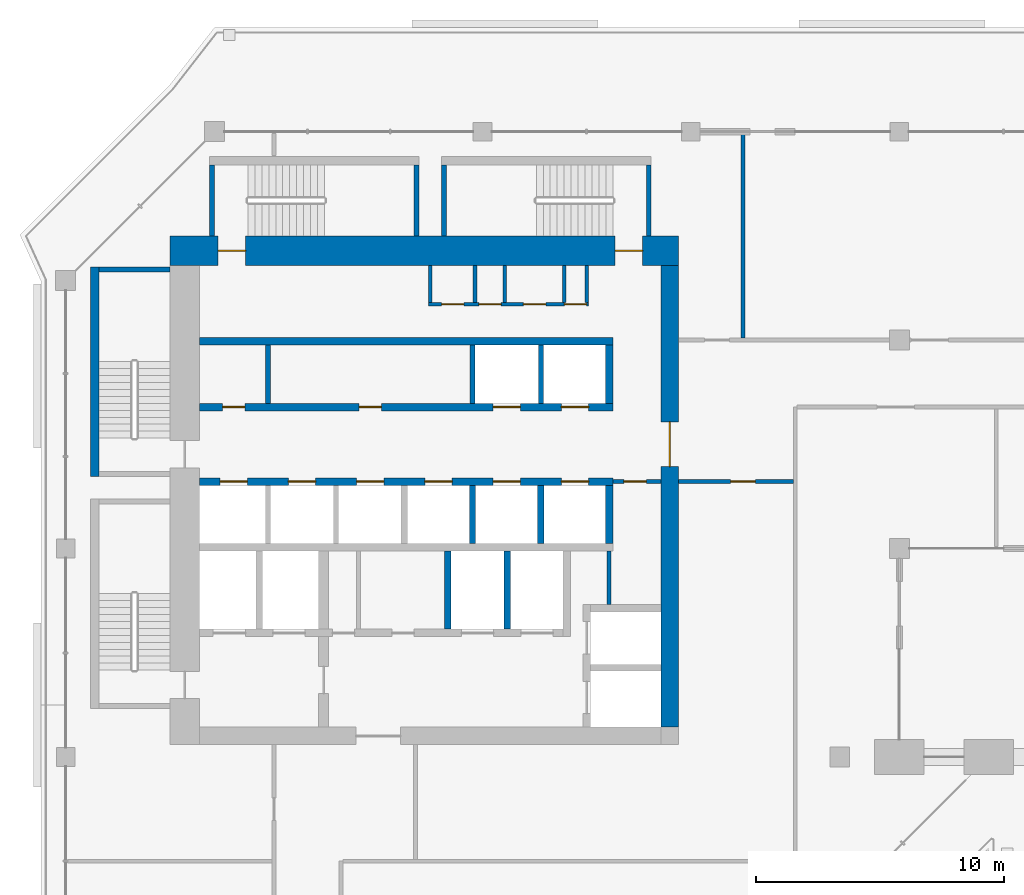
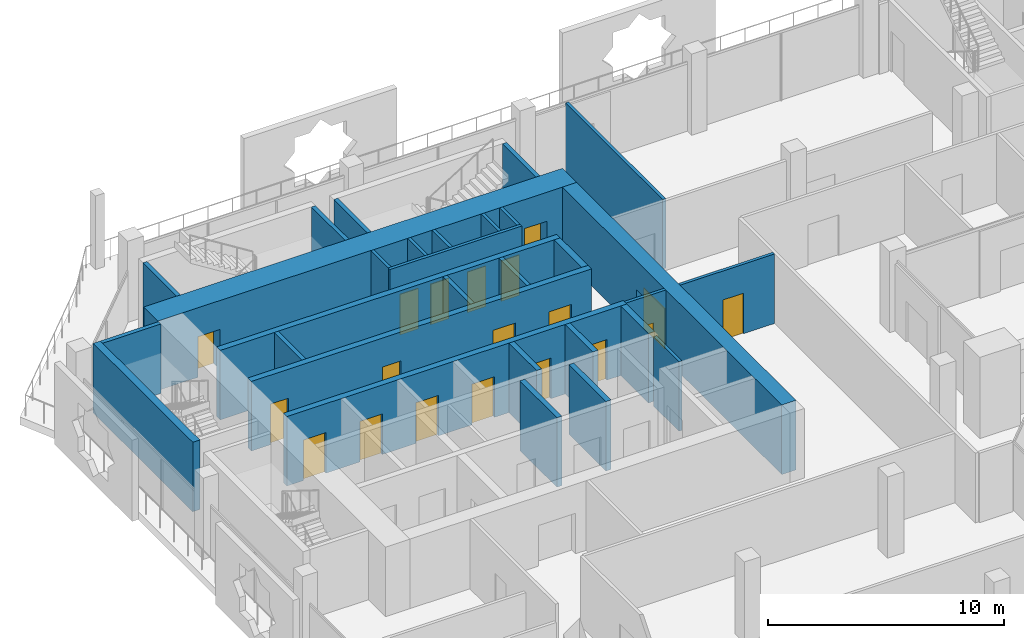
# One storey, part 12 of 20: 30 walls, 19 doors, 19 openings.
"""IFC4 building model written with IfcOpenShell, lengths in metres."""

from ifc_helpers import new_model, si_unit, direction, frame, frame_2d, origin, place, context, subcontext, project, spatial, rectangle, extrude, material, layer, layer_set, type_object, element, fill, save


model = new_model("IFC4")

# Units and contexts
model_context = context("Model", 3, precision=1e-05, world=origin(), true_north=direction((0.0, 1.0)))
body_context = subcontext(model_context, "Body", "Model", "MODEL_VIEW")
ifc_project = project(units=[si_unit("LENGTHUNIT", "METRE"), si_unit("AREAUNIT", "SQUARE_METRE"), si_unit("VOLUMEUNIT", "CUBIC_METRE"), si_unit("PLANEANGLEUNIT", "RADIAN"), si_unit("MASSUNIT", "GRAM", prefix="KILO")], contexts=[model_context])

# Site, building, storey
site_placement = place(None, origin())
site = spatial("IfcSite", under=ifc_project, at=site_placement, CompositionType="ELEMENT")
building_placement = place(site_placement, origin())
building = spatial("IfcBuilding", under=site, at=building_placement, Name="Kawkab Arch Medical Tower", CompositionType="ELEMENT")
storey_placement = place(building_placement, frame((0.0, 0.0, 277.60009765625)))
storey = spatial("IfcBuildingStorey", under=building, at=storey_placement, Name="L64", CompositionType="ELEMENT", Elevation=277.60009765625)

# Wall, openings, doors
ifc_material_1 = material(Name="Concrete C50/60", Category="concrete")
ifc_layer_1 = layer(ifc_material_1, 1.199951171875)
ifc_layer_set_1 = layer_set([ifc_layer_1], Name="Concrete C50/60")
wall_type_1 = type_object("IfcWallType", Name="Core ring wall 1200 C50/60", PredefinedType="SHEAR", material=ifc_layer_set_1)
wall_1_placement = place(storey_placement, frame((4.199951171875, -4.800048828125, 0.0), z_axis=(0.0, 0.0, 1.0), x_axis=(1.0, 0.0, 0.0)))
wall_1 = element("IfcWall", 1, at=wall_1_placement, inside=storey, type_object=wall_type_1, Name="L64 core wall", PredefinedType="SHEAR", context=body_context, shape_type="SweptSolid", body=[
    extrude(rectangle(XDim=20.5, YDim=1.199951171875, at=frame_2d((10.25, 0.0))), origin(), (0.0, 0.0, 1.0), 3.599853515625),
])
opening_1_placement = place(wall_1_placement, frame((1.949951171875, 0.0, 0.0)))
opening_1 = element("IfcOpeningElement", 2, at=opening_1_placement, cuts=wall_1, Name="Opening SD", PredefinedType="OPENING", context=body_context, shape_type="SweptSolid", body=[
    extrude(rectangle(XDim=1.10009765625, YDim=2.10009765625, at=frame_2d((0.550048828125, 1.050048828125))), frame((0.0, 0.60986328125, 0.0), z_axis=(0.0, -1.0, 0.0), x_axis=(1.0, 0.0, 0.0)), (0.0, 0.0, 1.0), 1.219970703125),
])
opening_2_placement = place(wall_1_placement, frame((17.949951171875, 0.0, 0.0)))
opening_2 = element("IfcOpeningElement", 3, at=opening_2_placement, cuts=wall_1, Name="Opening SD", PredefinedType="OPENING", context=body_context, shape_type="SweptSolid", body=[
    extrude(rectangle(XDim=1.10009765625, YDim=2.10009765625, at=frame_2d((0.550048828125, 1.050048828125))), frame((0.0, 0.60986328125, 0.0), z_axis=(0.0, -1.0, 0.0), x_axis=(1.0, 0.0, 0.0)), (0.0, 0.0, 1.0), 1.219970703125),
])
ifc_material_2 = material(Name="Hollow metal fire door leaf")
door_type_1 = type_object("IfcDoorType", Name="Exit stair door 1100", OperationType="SINGLE_SWING_LEFT", PredefinedType="DOOR", material=ifc_material_2)
door_1_placement = place(opening_1_placement, origin())
door_1 = element("IfcDoor", 4, at=door_1_placement, inside=storey, type_object=door_type_1, Name="L64 Exit stair ST3 door", OperationType="SINGLE_SWING_LEFT", OverallHeight=2.10009765625, OverallWidth=1.10009765625, PredefinedType="DOOR", context=body_context, shape_type="SweptSolid", body=[
    extrude(rectangle(XDim=1.10009765625, YDim=2.10009765625, at=frame_2d((0.550048828125, 1.050048828125))), frame((0.0, 0.02490234375, 0.0), z_axis=(0.0, -1.0, 0.0), x_axis=(1.0, 0.0, 0.0)), (0.0, 0.0, 1.0), 0.050048828125),
])
fill(opening_1, door_1)
door_2_placement = place(opening_2_placement, origin())
door_2 = element("IfcDoor", 5, at=door_2_placement, inside=storey, type_object=door_type_1, Name="L64 Exit stair ST4 door", OperationType="SINGLE_SWING_LEFT", OverallHeight=2.10009765625, OverallWidth=1.10009765625, PredefinedType="DOOR", context=body_context, shape_type="SweptSolid", body=[
    extrude(rectangle(XDim=1.10009765625, YDim=2.10009765625, at=frame_2d((0.550048828125, 1.050048828125))), frame((0.0, 0.02490234375, 0.0), z_axis=(0.0, -1.0, 0.0), x_axis=(1.0, 0.0, 0.0)), (0.0, 0.0, 1.0), 0.050048828125),
])
fill(opening_2, door_2)

# Wall, opening, door
ifc_material_3 = material(Name="Concrete C50/60", Category="concrete")
ifc_layer_2 = layer(ifc_material_3, 0.699951171875)
ifc_layer_set_2 = layer_set([ifc_layer_2], Name="Concrete C50/60")
wall_type_2 = type_object("IfcWallType", Name="Core ring wall 700 C50/60", PredefinedType="SHEAR", material=ifc_layer_set_2)
wall_2_placement = place(storey_placement, frame((24.35009765625, -24.0, 0.0), z_axis=(0.0, 0.0, 1.0), x_axis=(0.0, 1.0, 0.0)))
wall_2 = element("IfcWall", 6, at=wall_2_placement, inside=storey, type_object=wall_type_2, Name="L64 core wall", PredefinedType="SHEAR", context=body_context, shape_type="SweptSolid", body=[
    extrude(rectangle(XDim=18.60009765625, YDim=0.699951171875, at=frame_2d((9.300048828125, 0.0))), origin(), (0.0, 0.0, 1.0), 3.599853515625),
])
opening_3_placement = place(wall_2_placement, frame((10.5, 0.0, 0.0)))
opening_3 = element("IfcOpeningElement", 7, at=opening_3_placement, cuts=wall_2, Name="Opening PD", PredefinedType="OPENING", context=body_context, shape_type="SweptSolid", body=[
    extrude(rectangle(XDim=1.800048828125, YDim=2.10009765625, at=frame_2d((0.89990234375, 1.050048828125))), frame((0.0, 0.35986328125, 0.0), z_axis=(0.0, -1.0, 0.0), x_axis=(1.0, 0.0, 0.0)), (0.0, 0.0, 1.0), 0.719970703125),
])
ifc_material_4 = material(Name="Hollow metal fire door leaf")
door_type_2 = type_object("IfcDoorType", Name="Core entrance doors 1800", OperationType="DOUBLE_DOOR_SINGLE_SWING", PredefinedType="DOOR", material=ifc_material_4)
door_3_placement = place(opening_3_placement, origin())
door_3 = element("IfcDoor", 8, at=door_3_placement, inside=storey, type_object=door_type_2, Name="L64 East entrance doors", OperationType="DOUBLE_DOOR_SINGLE_SWING", OverallHeight=2.10009765625, OverallWidth=1.800048828125, PredefinedType="DOOR", context=body_context, shape_type="SweptSolid", body=[
    extrude(rectangle(XDim=1.800048828125, YDim=2.10009765625, at=frame_2d((0.89990234375, 1.050048828125))), frame((0.0, 0.02490234375, 0.0), z_axis=(0.0, -1.0, 0.0), x_axis=(1.0, 0.0, 0.0)), (0.0, 0.0, 1.0), 0.050048828125),
])
fill(opening_3, door_3)

# Wall
ifc_material_5 = material(Name="Gypsum board on steel studs", Category="steel")
ifc_layer_3 = layer(ifc_material_5, 0.14990234375)
ifc_layer_set_3 = layer_set([ifc_layer_3], Name="Gypsum board on steel studs")
wall_type_3 = type_object("IfcWallType", Name="Core room partition 150", PredefinedType="PARTITIONING", material=ifc_layer_set_3)
wall_3_placement = place(storey_placement, frame((21.89990234375, -19.050048828125, 0.0), z_axis=(0.0, 0.0, 1.0), x_axis=(0.0, 1.0, 0.0)))
element("IfcWall", 9, at=wall_3_placement, inside=storey, type_object=wall_type_3, Name="L64 core room partition", PredefinedType="PARTITIONING", context=body_context, shape_type="SweptSolid", body=[
    extrude(rectangle(XDim=2.150146484375, YDim=0.14990234375, at=frame_2d((1.0751953125, 0.0))), origin(), (0.0, 0.0, 1.0), 3.599853515625),
])

# Wall, opening, door
wall_4_placement = place(storey_placement, frame((22.050048828125, -14.10009765625, 0.0), z_axis=(0.0, 0.0, 1.0), x_axis=(1.0, 0.0, 0.0)))
wall_4 = element("IfcWall", 10, at=wall_4_placement, inside=storey, type_object=wall_type_3, Name="L64 core room partition", PredefinedType="PARTITIONING", context=body_context, shape_type="SweptSolid", body=[
    extrude(rectangle(XDim=1.949951171875, YDim=0.14990234375, at=frame_2d((0.97509765625, 0.0))), origin(), (0.0, 0.0, 1.0), 3.599853515625),
])
opening_4_placement = place(wall_4_placement, frame((0.449951171875, 0.0, 0.0)))
opening_4 = element("IfcOpeningElement", 11, at=opening_4_placement, cuts=wall_4, Name="Opening RD", PredefinedType="OPENING", context=body_context, shape_type="SweptSolid", body=[
    extrude(rectangle(XDim=0.89990234375, YDim=2.10009765625, at=frame_2d((0.449951171875, 1.050048828125))), frame((0.0, 0.0849609375, 0.0), z_axis=(0.0, -1.0, 0.0), x_axis=(1.0, 0.0, 0.0)), (0.0, 0.0, 1.0), 0.169921875),
])
ifc_material_6 = material(Name="Hollow metal fire door leaf")
door_type_3 = type_object("IfcDoorType", Name="Core room door 900", OperationType="SINGLE_SWING_LEFT", PredefinedType="DOOR", material=ifc_material_6)
door_4_placement = place(opening_4_placement, origin())
door_4 = element("IfcDoor", 12, at=door_4_placement, inside=storey, type_object=door_type_3, Name="L64 Data room door", OperationType="SINGLE_SWING_LEFT", OverallHeight=2.10009765625, OverallWidth=0.89990234375, PredefinedType="DOOR", context=body_context, shape_type="SweptSolid", body=[
    extrude(rectangle(XDim=0.89990234375, YDim=2.10009765625, at=frame_2d((0.449951171875, 1.050048828125))), frame((0.0, 0.02490234375, 0.0), z_axis=(0.0, -1.0, 0.0), x_axis=(1.0, 0.0, 0.0)), (0.0, 0.0, 1.0), 0.050048828125),
])
fill(opening_4, door_4)

# Wall, openings, doors
wall_5_placement = place(storey_placement, frame((14.625, -6.949951171875, 0.0), z_axis=(0.0, 0.0, 1.0), x_axis=(1.0, 0.0, 0.0)))
wall_5 = element("IfcWall", 13, at=wall_5_placement, inside=storey, type_object=wall_type_3, Name="L64 core room partition", PredefinedType="PARTITIONING", context=body_context, shape_type="SweptSolid", body=[
    extrude(rectangle(XDim=6.449951171875, YDim=0.14990234375, at=frame_2d((3.22509765625, 0.0))), origin(), (0.0, 0.0, 1.0), 3.599853515625),
])
opening_5_placement = place(wall_5_placement, frame((0.52490234375, 0.0, 0.0)))
opening_5 = element("IfcOpeningElement", 14, at=opening_5_placement, cuts=wall_5, Name="Opening RD", PredefinedType="OPENING", context=body_context, shape_type="SweptSolid", body=[
    extrude(rectangle(XDim=0.89990234375, YDim=2.10009765625, at=frame_2d((0.449951171875, 1.050048828125))), frame((0.0, 0.0849609375, 0.0), z_axis=(0.0, -1.0, 0.0), x_axis=(1.0, 0.0, 0.0)), (0.0, 0.0, 1.0), 0.169921875),
])
opening_6_placement = place(wall_5_placement, frame((2.02490234375, 0.0, 0.0)))
opening_6 = element("IfcOpeningElement", 15, at=opening_6_placement, cuts=wall_5, Name="Opening RD", PredefinedType="OPENING", context=body_context, shape_type="SweptSolid", body=[
    extrude(rectangle(XDim=0.89990234375, YDim=2.10009765625, at=frame_2d((0.449951171875, 1.050048828125))), frame((0.0, 0.0849609375, 0.0), z_axis=(0.0, -1.0, 0.0), x_axis=(1.0, 0.0, 0.0)), (0.0, 0.0, 1.0), 0.169921875),
])
opening_7_placement = place(wall_5_placement, frame((3.824951171875, 0.0, 0.0)))
opening_7 = element("IfcOpeningElement", 16, at=opening_7_placement, cuts=wall_5, Name="Opening RD", PredefinedType="OPENING", context=body_context, shape_type="SweptSolid", body=[
    extrude(rectangle(XDim=0.89990234375, YDim=2.10009765625, at=frame_2d((0.449951171875, 1.050048828125))), frame((0.0, 0.0849609375, 0.0), z_axis=(0.0, -1.0, 0.0), x_axis=(1.0, 0.0, 0.0)), (0.0, 0.0, 1.0), 0.169921875),
])
opening_8_placement = place(wall_5_placement, frame((5.47509765625, 0.0, 0.0)))
opening_8 = element("IfcOpeningElement", 17, at=opening_8_placement, cuts=wall_5, Name="Opening RD", PredefinedType="OPENING", context=body_context, shape_type="SweptSolid", body=[
    extrude(rectangle(XDim=0.89990234375, YDim=2.10009765625, at=frame_2d((0.449951171875, 1.050048828125))), frame((0.0, 0.0849609375, 0.0), z_axis=(0.0, -1.0, 0.0), x_axis=(1.0, 0.0, 0.0)), (0.0, 0.0, 1.0), 0.169921875),
])
door_5_placement = place(opening_5_placement, origin())
door_5 = element("IfcDoor", 18, at=door_5_placement, inside=storey, type_object=door_type_3, Name="L64 Comms room door", OperationType="SINGLE_SWING_LEFT", OverallHeight=2.10009765625, OverallWidth=0.89990234375, PredefinedType="DOOR", context=body_context, shape_type="SweptSolid", body=[
    extrude(rectangle(XDim=0.89990234375, YDim=2.10009765625, at=frame_2d((0.449951171875, 1.050048828125))), frame((0.0, 0.02490234375, 0.0), z_axis=(0.0, -1.0, 0.0), x_axis=(1.0, 0.0, 0.0)), (0.0, 0.0, 1.0), 0.050048828125),
])
fill(opening_5, door_5)
door_6_placement = place(opening_6_placement, origin())
door_6 = element("IfcDoor", 19, at=door_6_placement, inside=storey, type_object=door_type_3, Name="L64 Electrical riser room door", OperationType="SINGLE_SWING_LEFT", OverallHeight=2.10009765625, OverallWidth=0.89990234375, PredefinedType="DOOR", context=body_context, shape_type="SweptSolid", body=[
    extrude(rectangle(XDim=0.89990234375, YDim=2.10009765625, at=frame_2d((0.449951171875, 1.050048828125))), frame((0.0, 0.02490234375, 0.0), z_axis=(0.0, -1.0, 0.0), x_axis=(1.0, 0.0, 0.0)), (0.0, 0.0, 1.0), 0.050048828125),
])
fill(opening_6, door_6)
door_7_placement = place(opening_7_placement, origin())
door_7 = element("IfcDoor", 20, at=door_7_placement, inside=storey, type_object=door_type_3, Name="L64 General store door", OperationType="SINGLE_SWING_LEFT", OverallHeight=2.10009765625, OverallWidth=0.89990234375, PredefinedType="DOOR", context=body_context, shape_type="SweptSolid", body=[
    extrude(rectangle(XDim=0.89990234375, YDim=2.10009765625, at=frame_2d((0.449951171875, 1.050048828125))), frame((0.0, 0.02490234375, 0.0), z_axis=(0.0, -1.0, 0.0), x_axis=(1.0, 0.0, 0.0)), (0.0, 0.0, 1.0), 0.050048828125),
])
fill(opening_7, door_7)
door_8_placement = place(opening_8_placement, origin())
door_8 = element("IfcDoor", 21, at=door_8_placement, inside=storey, type_object=door_type_3, Name="L64 UPS room door", OperationType="SINGLE_SWING_LEFT", OverallHeight=2.10009765625, OverallWidth=0.89990234375, PredefinedType="DOOR", context=body_context, shape_type="SweptSolid", body=[
    extrude(rectangle(XDim=0.89990234375, YDim=2.10009765625, at=frame_2d((0.449951171875, 1.050048828125))), frame((0.0, 0.02490234375, 0.0), z_axis=(0.0, -1.0, 0.0), x_axis=(1.0, 0.0, 0.0)), (0.0, 0.0, 1.0), 0.050048828125),
])
fill(opening_8, door_8)

# Walls
for number, where, z_axis, x_axis, name in (
    (22, (14.699951171875, -6.875, 0.0), (0.0, 0.0, 1.0), (0.0, 1.0, 0.0), "L64 core room partition"),
    (23, (16.5, -6.875, 0.0), (0.0, 0.0, 1.0), (0.0, 1.0, 0.0), "L64 core room partition"),
    (24, (17.699951171875, -6.875, 0.0), (0.0, 0.0, 1.0), (0.0, 1.0, 0.0), "L64 core room partition"),
    (25, (20.10009765625, -6.875, 0.0), (0.0, 0.0, 1.0), (0.0, 1.0, 0.0), "L64 core room partition"),
    (26, (21.0, -6.875, 0.0), (0.0, 0.0, 1.0), (0.0, 1.0, 0.0), "L64 core room partition"),
):
    element("IfcWall", number, at=place(storey_placement, frame(where, z_axis=z_axis, x_axis=x_axis)), inside=storey, type_object=wall_type_3, Name=name, PredefinedType="PARTITIONING", context=body_context, shape_type="SweptSolid", body=[
        extrude(rectangle(XDim=1.47509765625, YDim=0.14990234375, at=frame_2d((0.737548828125, 0.0))), origin(), (0.0, 0.0, 1.0), 3.599853515625),
    ])
ifc_material_7 = material(Name="Concrete C60/75", Category="concrete")
ifc_layer_4 = layer(ifc_material_7, 0.25)
ifc_layer_set_4 = layer_set([ifc_layer_4], Name="Concrete C60/75")
wall_type_4 = type_object("IfcWallType", Name="Core shear wall 250 C60/75", PredefinedType="SHEAR", material=ifc_layer_set_4)
for number, where, z_axis, x_axis, name in (
    (27, (15.39990234375, -20.050048828125, 0.0), (0.0, 0.0, 1.0), (0.0, 1.0, 0.0), "L64 core shear wall"),
    (28, (17.800048828125, -20.050048828125, 0.0), (0.0, 0.0, 1.0), (0.0, 1.0, 0.0), "L64 core shear wall"),
):
    element("IfcWall", number, at=place(storey_placement, frame(where, z_axis=z_axis, x_axis=x_axis)), inside=storey, type_object=wall_type_4, Name=name, PredefinedType="SHEAR", context=body_context, shape_type="SweptSolid", body=[
        extrude(rectangle(XDim=3.150146484375, YDim=0.25, at=frame_2d((1.5751953125, 0.0))), origin(), (0.0, 0.0, 1.0), 3.599853515625),
    ])
for number, where, z_axis, x_axis, name in (
    (29, (16.39990234375, -16.60009765625, 0.0), (0.0, 0.0, 1.0), (0.0, 1.0, 0.0), "L64 core shear wall"),
    (30, (19.14990234375, -16.60009765625, 0.0), (0.0, 0.0, 1.0), (0.0, 1.0, 0.0), "L64 core shear wall"),
):
    element("IfcWall", number, at=place(storey_placement, frame(where, z_axis=z_axis, x_axis=x_axis)), inside=storey, type_object=wall_type_4, Name=name, PredefinedType="SHEAR", context=body_context, shape_type="SweptSolid", body=[
        extrude(rectangle(XDim=2.35009765625, YDim=0.25, at=frame_2d((1.175048828125, 0.0))), origin(), (0.0, 0.0, 1.0), 3.599853515625),
    ])
ifc_material_8 = material(Name="Concrete C60/75", Category="concrete")
ifc_layer_5 = layer(ifc_material_8, 0.300048828125)
ifc_layer_set_5 = layer_set([ifc_layer_5], Name="Concrete C60/75")
wall_type_5 = type_object("IfcWallType", Name="Core shear wall 300 C60/75", PredefinedType="SHEAR", material=ifc_layer_set_5)
wall_6_placement = place(storey_placement, frame((5.39990234375, -8.449951171875, 0.0), z_axis=(0.0, 0.0, 1.0), x_axis=(1.0, 0.0, 0.0)))
element("IfcWall", 31, at=wall_6_placement, inside=storey, type_object=wall_type_5, Name="L64 core shear wall", PredefinedType="SHEAR", context=body_context, shape_type="SweptSolid", body=[
    extrude(rectangle(XDim=16.650146484375, YDim=0.300048828125, at=frame_2d((8.3251953125, 0.0))), origin(), (0.0, 0.0, 1.0), 3.599853515625),
])

# Wall, openings, doors
wall_7_placement = place(storey_placement, frame((5.39990234375, -11.10009765625, 0.0), z_axis=(0.0, 0.0, 1.0), x_axis=(1.0, 0.0, 0.0)))
wall_7 = element("IfcWall", 32, at=wall_7_placement, inside=storey, type_object=wall_type_5, Name="L64 core shear wall", PredefinedType="SHEAR", context=body_context, shape_type="SweptSolid", body=[
    extrude(rectangle(XDim=16.650146484375, YDim=0.300048828125, at=frame_2d((8.3251953125, 0.0))), origin(), (0.0, 0.0, 1.0), 3.599853515625),
])
opening_9_placement = place(wall_7_placement, frame((11.824951171875, 0.0, 0.0)))
opening_9 = element("IfcOpeningElement", 33, at=opening_9_placement, cuts=wall_7, Name="Opening LD1", PredefinedType="OPENING", context=body_context, shape_type="SweptSolid", body=[
    extrude(rectangle(XDim=1.10009765625, YDim=2.10009765625, at=frame_2d((0.550048828125, 1.050048828125))), frame((0.0, 0.159912109375, 0.0), z_axis=(0.0, -1.0, 0.0), x_axis=(1.0, 0.0, 0.0)), (0.0, 0.0, 1.0), 0.320068359375),
])
opening_10_placement = place(wall_7_placement, frame((14.574951171875, 0.0, 0.0)))
opening_10 = element("IfcOpeningElement", 34, at=opening_10_placement, cuts=wall_7, Name="Opening LD1", PredefinedType="OPENING", context=body_context, shape_type="SweptSolid", body=[
    extrude(rectangle(XDim=1.10009765625, YDim=2.10009765625, at=frame_2d((0.550048828125, 1.050048828125))), frame((0.0, 0.159912109375, 0.0), z_axis=(0.0, -1.0, 0.0), x_axis=(1.0, 0.0, 0.0)), (0.0, 0.0, 1.0), 0.320068359375),
])
opening_11_placement = place(wall_7_placement, frame((0.925048828125, 0.0, 0.0)))
opening_11 = element("IfcOpeningElement", 35, at=opening_11_placement, cuts=wall_7, Name="Opening RD", PredefinedType="OPENING", context=body_context, shape_type="SweptSolid", body=[
    extrude(rectangle(XDim=0.89990234375, YDim=2.10009765625, at=frame_2d((0.449951171875, 1.050048828125))), frame((0.0, 0.159912109375, 0.0), z_axis=(0.0, -1.0, 0.0), x_axis=(1.0, 0.0, 0.0)), (0.0, 0.0, 1.0), 0.320068359375),
])
opening_12_placement = place(wall_7_placement, frame((6.425048828125, 0.0, 0.0)))
opening_12 = element("IfcOpeningElement", 36, at=opening_12_placement, cuts=wall_7, Name="Opening RD", PredefinedType="OPENING", context=body_context, shape_type="SweptSolid", body=[
    extrude(rectangle(XDim=0.89990234375, YDim=2.10009765625, at=frame_2d((0.449951171875, 1.050048828125))), frame((0.0, 0.159912109375, 0.0), z_axis=(0.0, -1.0, 0.0), x_axis=(1.0, 0.0, 0.0)), (0.0, 0.0, 1.0), 0.320068359375),
])
door_9_placement = place(opening_11_placement, origin())
door_9 = element("IfcDoor", 37, at=door_9_placement, inside=storey, type_object=door_type_3, Name="L64 Linen store door", OperationType="SINGLE_SWING_LEFT", OverallHeight=2.10009765625, OverallWidth=0.89990234375, PredefinedType="DOOR", context=body_context, shape_type="SweptSolid", body=[
    extrude(rectangle(XDim=0.89990234375, YDim=2.10009765625, at=frame_2d((0.449951171875, 1.050048828125))), frame((0.0, 0.02490234375, 0.0), z_axis=(0.0, -1.0, 0.0), x_axis=(1.0, 0.0, 0.0)), (0.0, 0.0, 1.0), 0.050048828125),
])
fill(opening_11, door_9)
door_10_placement = place(opening_12_placement, origin())
door_10 = element("IfcDoor", 38, at=door_10_placement, inside=storey, type_object=door_type_3, Name="L64 Housekeeping store door", OperationType="SINGLE_SWING_LEFT", OverallHeight=2.10009765625, OverallWidth=0.89990234375, PredefinedType="DOOR", context=body_context, shape_type="SweptSolid", body=[
    extrude(rectangle(XDim=0.89990234375, YDim=2.10009765625, at=frame_2d((0.449951171875, 1.050048828125))), frame((0.0, 0.02490234375, 0.0), z_axis=(0.0, -1.0, 0.0), x_axis=(1.0, 0.0, 0.0)), (0.0, 0.0, 1.0), 0.050048828125),
])
fill(opening_12, door_10)
ifc_material_9 = material(Name="Stainless steel lift door leaf", Category="steel")
door_type_4 = type_object("IfcDoorType", Name="Lift landing door 1100", OperationType="DOUBLE_DOOR_SLIDING", PredefinedType="DOOR", material=ifc_material_9)
door_11_placement = place(opening_9_placement, origin())
door_11 = element("IfcDoor", 39, at=door_11_placement, inside=storey, type_object=door_type_4, Name="L64 Lift landing door MP1", OperationType="DOUBLE_DOOR_SLIDING", OverallHeight=2.10009765625, OverallWidth=1.10009765625, PredefinedType="DOOR", context=body_context, shape_type="SweptSolid", body=[
    extrude(rectangle(XDim=1.10009765625, YDim=2.10009765625, at=frame_2d((0.550048828125, 1.050048828125))), frame((0.0, 0.02490234375, 0.0), z_axis=(0.0, -1.0, 0.0), x_axis=(1.0, 0.0, 0.0)), (0.0, 0.0, 1.0), 0.050048828125),
])
fill(opening_9, door_11)
door_12_placement = place(opening_10_placement, origin())
door_12 = element("IfcDoor", 40, at=door_12_placement, inside=storey, type_object=door_type_4, Name="L64 Lift landing door MP2", OperationType="DOUBLE_DOOR_SLIDING", OverallHeight=2.10009765625, OverallWidth=1.10009765625, PredefinedType="DOOR", context=body_context, shape_type="SweptSolid", body=[
    extrude(rectangle(XDim=1.10009765625, YDim=2.10009765625, at=frame_2d((0.550048828125, 1.050048828125))), frame((0.0, 0.02490234375, 0.0), z_axis=(0.0, -1.0, 0.0), x_axis=(1.0, 0.0, 0.0)), (0.0, 0.0, 1.0), 0.050048828125),
])
fill(opening_10, door_12)

wall_8_placement = place(storey_placement, frame((5.39990234375, -14.10009765625, 0.0), z_axis=(0.0, 0.0, 1.0), x_axis=(1.0, 0.0, 0.0)))
wall_8 = element("IfcWall", 41, at=wall_8_placement, inside=storey, type_object=wall_type_5, Name="L64 core shear wall", PredefinedType="SHEAR", context=body_context, shape_type="SweptSolid", body=[
    extrude(rectangle(XDim=16.650146484375, YDim=0.300048828125, at=frame_2d((8.3251953125, 0.0))), origin(), (0.0, 0.0, 1.0), 3.599853515625),
])
opening_13_placement = place(wall_8_placement, frame((0.824951171875, 0.0, 0.0)))
opening_13 = element("IfcOpeningElement", 42, at=opening_13_placement, cuts=wall_8, Name="Opening LD1", PredefinedType="OPENING", context=body_context, shape_type="SweptSolid", body=[
    extrude(rectangle(XDim=1.10009765625, YDim=2.10009765625, at=frame_2d((0.550048828125, 1.050048828125))), frame((0.0, 0.159912109375, 0.0), z_axis=(0.0, -1.0, 0.0), x_axis=(1.0, 0.0, 0.0)), (0.0, 0.0, 1.0), 0.320068359375),
])
opening_14_placement = place(wall_8_placement, frame((3.574951171875, 0.0, 0.0)))
opening_14 = element("IfcOpeningElement", 43, at=opening_14_placement, cuts=wall_8, Name="Opening LD1", PredefinedType="OPENING", context=body_context, shape_type="SweptSolid", body=[
    extrude(rectangle(XDim=1.10009765625, YDim=2.10009765625, at=frame_2d((0.550048828125, 1.050048828125))), frame((0.0, 0.159912109375, 0.0), z_axis=(0.0, -1.0, 0.0), x_axis=(1.0, 0.0, 0.0)), (0.0, 0.0, 1.0), 0.320068359375),
])
opening_15_placement = place(wall_8_placement, frame((6.324951171875, 0.0, 0.0)))
opening_15 = element("IfcOpeningElement", 44, at=opening_15_placement, cuts=wall_8, Name="Opening LD1", PredefinedType="OPENING", context=body_context, shape_type="SweptSolid", body=[
    extrude(rectangle(XDim=1.10009765625, YDim=2.10009765625, at=frame_2d((0.550048828125, 1.050048828125))), frame((0.0, 0.159912109375, 0.0), z_axis=(0.0, -1.0, 0.0), x_axis=(1.0, 0.0, 0.0)), (0.0, 0.0, 1.0), 0.320068359375),
])
opening_16_placement = place(wall_8_placement, frame((9.074951171875, 0.0, 0.0)))
opening_16 = element("IfcOpeningElement", 45, at=opening_16_placement, cuts=wall_8, Name="Opening LD1", PredefinedType="OPENING", context=body_context, shape_type="SweptSolid", body=[
    extrude(rectangle(XDim=1.10009765625, YDim=2.10009765625, at=frame_2d((0.550048828125, 1.050048828125))), frame((0.0, 0.159912109375, 0.0), z_axis=(0.0, -1.0, 0.0), x_axis=(1.0, 0.0, 0.0)), (0.0, 0.0, 1.0), 0.320068359375),
])
opening_17_placement = place(wall_8_placement, frame((11.824951171875, 0.0, 0.0)))
opening_17 = element("IfcOpeningElement", 46, at=opening_17_placement, cuts=wall_8, Name="Opening LD1", PredefinedType="OPENING", context=body_context, shape_type="SweptSolid", body=[
    extrude(rectangle(XDim=1.10009765625, YDim=2.10009765625, at=frame_2d((0.550048828125, 1.050048828125))), frame((0.0, 0.159912109375, 0.0), z_axis=(0.0, -1.0, 0.0), x_axis=(1.0, 0.0, 0.0)), (0.0, 0.0, 1.0), 0.320068359375),
])
opening_18_placement = place(wall_8_placement, frame((14.574951171875, 0.0, 0.0)))
opening_18 = element("IfcOpeningElement", 47, at=opening_18_placement, cuts=wall_8, Name="Opening LD1", PredefinedType="OPENING", context=body_context, shape_type="SweptSolid", body=[
    extrude(rectangle(XDim=1.10009765625, YDim=2.10009765625, at=frame_2d((0.550048828125, 1.050048828125))), frame((0.0, 0.159912109375, 0.0), z_axis=(0.0, -1.0, 0.0), x_axis=(1.0, 0.0, 0.0)), (0.0, 0.0, 1.0), 0.320068359375),
])
door_13_placement = place(opening_13_placement, origin())
door_13 = element("IfcDoor", 48, at=door_13_placement, inside=storey, type_object=door_type_4, Name="L64 Lift landing door MP3", OperationType="DOUBLE_DOOR_SLIDING", OverallHeight=2.10009765625, OverallWidth=1.10009765625, PredefinedType="DOOR", context=body_context, shape_type="SweptSolid", body=[
    extrude(rectangle(XDim=1.10009765625, YDim=2.10009765625, at=frame_2d((0.550048828125, 1.050048828125))), frame((0.0, 0.02490234375, 0.0), z_axis=(0.0, -1.0, 0.0), x_axis=(1.0, 0.0, 0.0)), (0.0, 0.0, 1.0), 0.050048828125),
])
fill(opening_13, door_13)
door_14_placement = place(opening_14_placement, origin())
door_14 = element("IfcDoor", 49, at=door_14_placement, inside=storey, type_object=door_type_4, Name="L64 Lift landing door MP4", OperationType="DOUBLE_DOOR_SLIDING", OverallHeight=2.10009765625, OverallWidth=1.10009765625, PredefinedType="DOOR", context=body_context, shape_type="SweptSolid", body=[
    extrude(rectangle(XDim=1.10009765625, YDim=2.10009765625, at=frame_2d((0.550048828125, 1.050048828125))), frame((0.0, 0.02490234375, 0.0), z_axis=(0.0, -1.0, 0.0), x_axis=(1.0, 0.0, 0.0)), (0.0, 0.0, 1.0), 0.050048828125),
])
fill(opening_14, door_14)
door_15_placement = place(opening_15_placement, origin())
door_15 = element("IfcDoor", 50, at=door_15_placement, inside=storey, type_object=door_type_4, Name="L64 Lift landing door HP1", OperationType="DOUBLE_DOOR_SLIDING", OverallHeight=2.10009765625, OverallWidth=1.10009765625, PredefinedType="DOOR", context=body_context, shape_type="SweptSolid", body=[
    extrude(rectangle(XDim=1.10009765625, YDim=2.10009765625, at=frame_2d((0.550048828125, 1.050048828125))), frame((0.0, 0.02490234375, 0.0), z_axis=(0.0, -1.0, 0.0), x_axis=(1.0, 0.0, 0.0)), (0.0, 0.0, 1.0), 0.050048828125),
])
fill(opening_15, door_15)
door_16_placement = place(opening_16_placement, origin())
door_16 = element("IfcDoor", 51, at=door_16_placement, inside=storey, type_object=door_type_4, Name="L64 Lift landing door HP2", OperationType="DOUBLE_DOOR_SLIDING", OverallHeight=2.10009765625, OverallWidth=1.10009765625, PredefinedType="DOOR", context=body_context, shape_type="SweptSolid", body=[
    extrude(rectangle(XDim=1.10009765625, YDim=2.10009765625, at=frame_2d((0.550048828125, 1.050048828125))), frame((0.0, 0.02490234375, 0.0), z_axis=(0.0, -1.0, 0.0), x_axis=(1.0, 0.0, 0.0)), (0.0, 0.0, 1.0), 0.050048828125),
])
fill(opening_16, door_16)
door_17_placement = place(opening_17_placement, origin())
door_17 = element("IfcDoor", 52, at=door_17_placement, inside=storey, type_object=door_type_4, Name="L64 Lift landing door HP3", OperationType="DOUBLE_DOOR_SLIDING", OverallHeight=2.10009765625, OverallWidth=1.10009765625, PredefinedType="DOOR", context=body_context, shape_type="SweptSolid", body=[
    extrude(rectangle(XDim=1.10009765625, YDim=2.10009765625, at=frame_2d((0.550048828125, 1.050048828125))), frame((0.0, 0.02490234375, 0.0), z_axis=(0.0, -1.0, 0.0), x_axis=(1.0, 0.0, 0.0)), (0.0, 0.0, 1.0), 0.050048828125),
])
fill(opening_17, door_17)
door_18_placement = place(opening_18_placement, origin())
door_18 = element("IfcDoor", 53, at=door_18_placement, inside=storey, type_object=door_type_4, Name="L64 Lift landing door HP4", OperationType="DOUBLE_DOOR_SLIDING", OverallHeight=2.10009765625, OverallWidth=1.10009765625, PredefinedType="DOOR", context=body_context, shape_type="SweptSolid", body=[
    extrude(rectangle(XDim=1.10009765625, YDim=2.10009765625, at=frame_2d((0.550048828125, 1.050048828125))), frame((0.0, 0.02490234375, 0.0), z_axis=(0.0, -1.0, 0.0), x_axis=(1.0, 0.0, 0.0)), (0.0, 0.0, 1.0), 0.050048828125),
])
fill(opening_18, door_18)

# Walls
wall_9_placement = place(storey_placement, frame((21.89990234375, -10.949951171875, 0.0), z_axis=(0.0, 0.0, 1.0), x_axis=(0.0, 1.0, 0.0)))
element("IfcWall", 54, at=wall_9_placement, inside=storey, type_object=wall_type_5, Name="L64 core shear wall", PredefinedType="SHEAR", context=body_context, shape_type="SweptSolid", body=[
    extrude(rectangle(XDim=2.349853515625, YDim=0.300048828125, at=frame_2d((1.1748046875, 0.0))), origin(), (0.0, 0.0, 1.0), 3.599853515625),
])
wall_10_placement = place(storey_placement, frame((21.89990234375, -16.60009765625, 0.0), z_axis=(0.0, 0.0, 1.0), x_axis=(0.0, 1.0, 0.0)))
element("IfcWall", 55, at=wall_10_placement, inside=storey, type_object=wall_type_5, Name="L64 core shear wall", PredefinedType="SHEAR", context=body_context, shape_type="SweptSolid", body=[
    extrude(rectangle(XDim=2.35009765625, YDim=0.300048828125, at=frame_2d((1.175048828125, 0.0))), origin(), (0.0, 0.0, 1.0), 3.599853515625),
])
ifc_material_10 = material(Name="Dense concrete blockwork", Category="masonry")
ifc_layer_6 = layer(ifc_material_10, 0.199951171875)
ifc_layer_set_6 = layer_set([ifc_layer_6], Name="Dense concrete blockwork")
wall_type_6 = type_object("IfcWallType", Name="Lift shaft partition 200", PredefinedType="PARTITIONING", material=ifc_layer_set_6)
for number, where, z_axis, x_axis, name in (
    (56, (8.14990234375, -10.949951171875, 0.0), (0.0, 0.0, 1.0), (0.0, 1.0, 0.0), "L64 lift shaft partition"),
    (57, (16.39990234375, -10.949951171875, 0.0), (0.0, 0.0, 1.0), (0.0, 1.0, 0.0), "L64 lift shaft partition"),
    (58, (19.14990234375, -10.949951171875, 0.0), (0.0, 0.0, 1.0), (0.0, 1.0, 0.0), "L64 lift shaft partition"),
):
    element("IfcWall", number, at=place(storey_placement, frame(where, z_axis=z_axis, x_axis=x_axis)), inside=storey, type_object=wall_type_6, Name=name, PredefinedType="PARTITIONING", context=body_context, shape_type="SweptSolid", body=[
        extrude(rectangle(XDim=2.349853515625, YDim=0.199951171875, at=frame_2d((1.1748046875, 0.0))), origin(), (0.0, 0.0, 1.0), 3.599853515625),
    ])

# Wall, opening, door
ifc_material_11 = material(Name="Gypsum board partition on steel studs, mineral wool", Category="steel")
ifc_layer_7 = layer(ifc_material_11, 0.14990234375)
ifc_layer_set_7 = layer_set([ifc_layer_7], Name="Gypsum board partition on steel studs, mineral wool")
wall_type_7 = type_object("IfcWallType", Name="Partition 150", PredefinedType="PARTITIONING", material=ifc_layer_set_7)
wall_11_placement = place(storey_placement, frame((24.699951171875, -14.10009765625, 0.0), z_axis=(0.0, 0.0, 1.0), x_axis=(1.0, 0.0, 0.0)))
wall_11 = element("IfcWall", 59, at=wall_11_placement, inside=storey, type_object=wall_type_7, Name="Partition 150 w007", PredefinedType="PARTITIONING", context=body_context, shape_type="SweptSolid", body=[
    extrude(rectangle(XDim=4.625, YDim=0.14990234375, at=frame_2d((2.3125, 0.0))), origin(), (0.0, 0.0, 1.0), 3.599853515625),
])
opening_19_placement = place(wall_11_placement, frame((2.10009765625, 0.0, 0.0)))
opening_19 = element("IfcOpeningElement", 60, at=opening_19_placement, cuts=wall_11, Name="Opening B64-008", PredefinedType="OPENING", context=body_context, shape_type="SweptSolid", body=[
    extrude(rectangle(XDim=1.0, YDim=2.10009765625, at=frame_2d((0.5, 1.050048828125))), frame((0.0, 0.0849609375, 0.0), z_axis=(0.0, -1.0, 0.0), x_axis=(1.0, 0.0, 0.0)), (0.0, 0.0, 1.0), 0.169921875),
])
ifc_material_12 = material(Name="Hollow metal door leaf")
door_type_5 = type_object("IfcDoorType", Name="Single door 1000x2100 FD30S", OperationType="NOTDEFINED", PredefinedType="DOOR", material=ifc_material_12)
door_19_placement = place(opening_19_placement, origin())
door_19 = element("IfcDoor", 61, at=door_19_placement, inside=storey, type_object=door_type_5, Name="Door B64-008", OperationType="SINGLE_SWING_LEFT", OverallHeight=2.10009765625, OverallWidth=1.0, PredefinedType="DOOR", context=body_context, shape_type="SweptSolid", body=[
    extrude(rectangle(XDim=1.0, YDim=2.10009765625, at=frame_2d((0.5, 1.050048828125))), frame((0.0, 0.02490234375, 0.0), z_axis=(0.0, -1.0, 0.0), x_axis=(1.0, 0.0, 0.0)), (0.0, 0.0, 1.0), 0.050048828125),
])
fill(opening_19, door_19)

# Walls
wall_12_placement = place(storey_placement, frame((27.300048828125, -8.324951171875, 0.0), z_axis=(0.0, 0.0, 1.0), x_axis=(0.0, 1.0, 0.0)))
element("IfcWall", 62, at=wall_12_placement, inside=storey, type_object=wall_type_7, Name="Partition 150 w018", PredefinedType="PARTITIONING", context=body_context, shape_type="SweptSolid", body=[
    extrude(rectangle(XDim=8.244873046875, YDim=0.14990234375, at=frame_2d((4.12255859375, 0.0))), origin(), (0.0, 0.0, 1.0), 3.599853515625),
])
ifc_material_13 = material(Name="Concrete C50/60", Category="concrete")
ifc_layer_8 = layer(ifc_material_13, 0.199951171875)
ifc_layer_set_8 = layer_set([ifc_layer_8], Name="Concrete C50/60")
wall_type_8 = type_object("IfcWallType", Name="Stair enclosure wall 200 C50/60", PredefinedType="SHEAR", material=ifc_layer_set_8)
for number, where, z_axis, x_axis, name in (
    (63, (1.35009765625, -5.550048828125, 0.0), (0.0, 0.0, 1.0), (1.0, 0.0, 0.0), "L64 stair enclosure wall"),
    (64, (5.89990234375, -4.199951171875, 0.0), (0.0, 0.0, 1.0), (0.0, 1.0, 0.0), "L64 stair enclosure wall"),
    (65, (14.14990234375, -4.199951171875, 0.0), (0.0, 0.0, 1.0), (0.0, 1.0, 0.0), "L64 stair enclosure wall"),
    (66, (15.25, -4.199951171875, 0.0), (0.0, 0.0, 1.0), (0.0, 1.0, 0.0), "L64 stair enclosure wall"),
    (67, (23.5, -4.199951171875, 0.0), (0.0, 0.0, 1.0), (0.0, 1.0, 0.0), "L64 stair enclosure wall"),
):
    element("IfcWall", number, at=place(storey_placement, frame(where, z_axis=z_axis, x_axis=x_axis)), inside=storey, type_object=wall_type_8, Name=name, PredefinedType="SHEAR", context=body_context, shape_type="SweptSolid", body=[
        extrude(rectangle(XDim=2.849853515625, YDim=0.199951171875, at=frame_2d((1.4248046875, 0.0))), origin(), (0.0, 0.0, 1.0), 3.599853515625),
    ])
ifc_material_14 = material(Name="Concrete C50/60", Category="concrete")
ifc_layer_9 = layer(ifc_material_14, 0.35009765625)
ifc_layer_set_9 = layer_set([ifc_layer_9], Name="Concrete C50/60")
wall_type_9 = type_object("IfcWallType", Name="Stair enclosure wall 350 C50/60", PredefinedType="SHEAR", material=ifc_layer_set_9)
wall_13_placement = place(storey_placement, frame((1.175048828125, -13.89990234375, 0.0), z_axis=(0.0, 0.0, 1.0), x_axis=(0.0, 1.0, 0.0)))
element("IfcWall", 68, at=wall_13_placement, inside=storey, type_object=wall_type_9, Name="L64 stair enclosure wall", PredefinedType="SHEAR", context=body_context, shape_type="SweptSolid", body=[
    extrude(rectangle(XDim=8.449951171875, YDim=0.35009765625, at=frame_2d((4.22509765625, 0.0))), origin(), (0.0, 0.0, 1.0), 3.599853515625),
])

save(model, "model.ifc")
